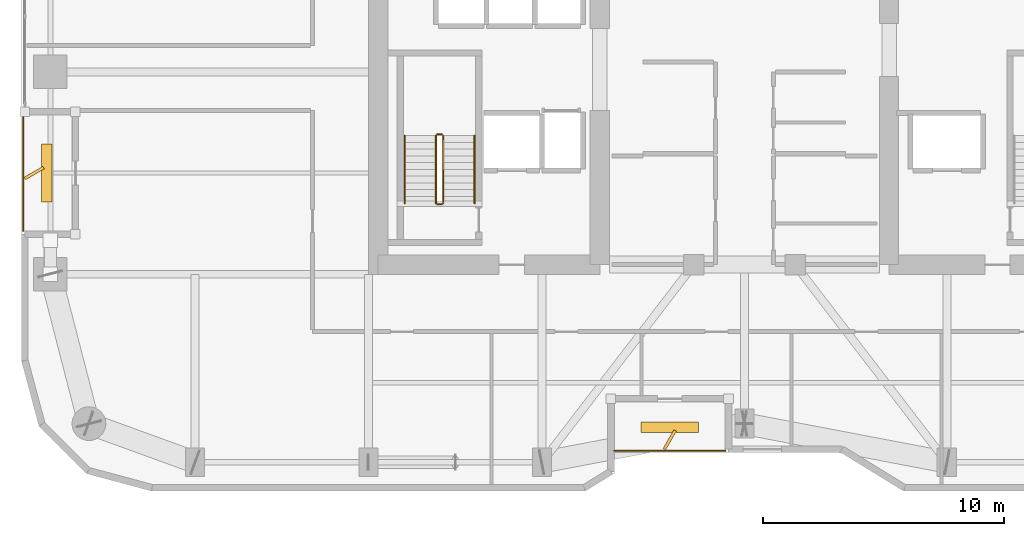
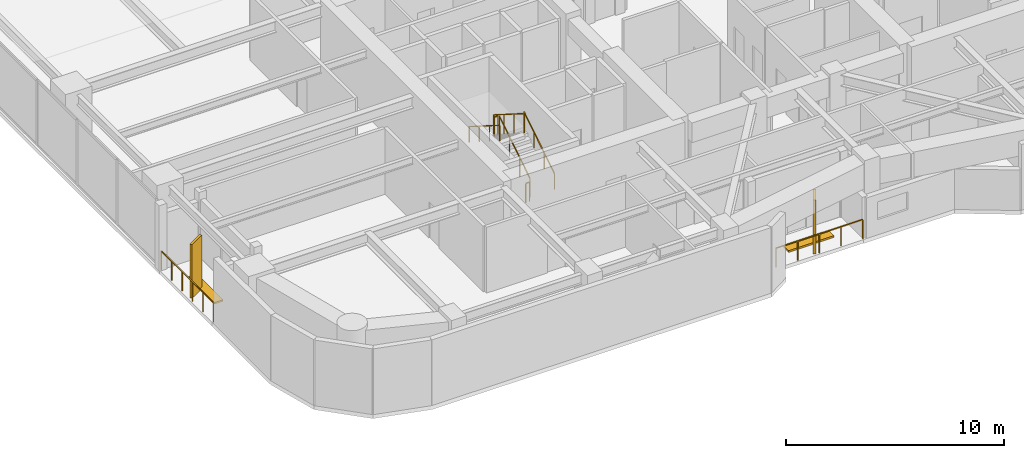
# One storey, part 29 of 31: 8 railings, 4 shading devices.
"""IFC4 building model written with IfcOpenShell, lengths in metres."""

from ifc_helpers import new_model, si_unit, direction, frame, origin, origin_2d, place, context, subcontext, project, spatial, rectangle, extrude, material, type_object, element, save


model = new_model("IFC4")

# Units and contexts
model_context = context("Model", 3, precision=1e-05, world=origin(), true_north=direction((0.0, 1.0)))
body_context = subcontext(model_context, "Body", "Model", "MODEL_VIEW")
ifc_project = project(units=[si_unit("LENGTHUNIT", "METRE"), si_unit("AREAUNIT", "SQUARE_METRE"), si_unit("VOLUMEUNIT", "CUBIC_METRE"), si_unit("PLANEANGLEUNIT", "RADIAN"), si_unit("MASSUNIT", "GRAM", prefix="KILO")], contexts=[model_context])

# Site, building, storey
site_placement = place(None, origin())
site = spatial("IfcSite", under=ifc_project, at=site_placement, CompositionType="ELEMENT")
building_placement = place(site_placement, origin())
building = spatial("IfcBuilding", under=site, at=building_placement, Name="Kiyonajd Concourse Tower", CompositionType="ELEMENT")
storey_placement = place(building_placement, frame((0.0, 0.0, 158.39990234375)))
storey = spatial("IfcBuildingStorey", under=building, at=storey_placement, Name="L40", CompositionType="ELEMENT", Elevation=158.39990234375)

# Railings
ifc_material_1 = material(Name="Thermally Broken Anodised Aluminium", Category="aluminium")
railing_type_1 = type_object("IfcRailingType", Name="RL-GRD-LOG", PredefinedType="GUARDRAIL", material=ifc_material_1)
railing_1_placement = place(storey_placement, frame((42.60009765625, 20.280029296875, 0.0)))
element("IfcRailing", 1, at=railing_1_placement, inside=storey, type_object=railing_type_1, Name="L40 Engawa Loggia Perimeter Guard LOG-S", PredefinedType="GUARDRAIL", context=body_context, shape_type="SweptSolid", body=[
    extrude(rectangle(XDim=0.048095703125, YDim=0.048095703125, at=origin_2d()), frame((0.0, 0.0, 1.076171875), z_axis=(1.0, 0.0, 0.0), x_axis=(0.0, 1.0, 0.0)), (0.0, 0.0, 1.0), 4.599853515625),
    extrude(rectangle(XDim=0.0419921875, YDim=0.0419921875, at=origin_2d()), origin(), (0.0, 0.0, 1.0), 1.052001953125),
    extrude(rectangle(XDim=0.0419921875, YDim=0.0419921875, at=origin_2d()), frame((1.14990234375, 0.0, 0.0)), (0.0, 0.0, 1.0), 1.052001953125),
    extrude(rectangle(XDim=0.0419921875, YDim=0.0419921875, at=origin_2d()), frame((2.2998046875, 0.0, 0.0)), (0.0, 0.0, 1.0), 1.052001953125),
    extrude(rectangle(XDim=0.0419921875, YDim=0.0419921875, at=origin_2d()), frame((3.449951171875, 0.0, 0.0)), (0.0, 0.0, 1.0), 1.052001953125),
    extrude(rectangle(XDim=0.0419921875, YDim=0.0419921875, at=origin_2d()), frame((4.599853515625, 0.0, 0.0)), (0.0, 0.0, 1.0), 1.052001953125),
])
railing_2_placement = place(storey_placement, frame((18.080078125, 34.199951171875, 0.0)))
element("IfcRailing", 2, at=railing_2_placement, inside=storey, type_object=railing_type_1, Name="L40 Engawa Loggia Perimeter Guard LOG-W", PredefinedType="GUARDRAIL", context=body_context, shape_type="SweptSolid", body=[
    extrude(rectangle(XDim=0.048095703125, YDim=0.048095703125, at=origin_2d()), frame((0.0, 0.0, 1.076171875), z_axis=(0.0, -1.0, 0.0), x_axis=(1.0, 0.0, 0.0)), (0.0, 0.0, 1.0), 4.800048828125),
    extrude(rectangle(XDim=0.0419921875, YDim=0.0419921875, at=origin_2d()), origin(), (0.0, 0.0, 1.0), 1.052001953125),
    extrude(rectangle(XDim=0.0419921875, YDim=0.0419921875, at=origin_2d()), frame((0.0, -0.9599609375, 0.0)), (0.0, 0.0, 1.0), 1.052001953125),
    extrude(rectangle(XDim=0.0419921875, YDim=0.0419921875, at=origin_2d()), frame((0.0, -1.919921875, 0.0)), (0.0, 0.0, 1.0), 1.052001953125),
    extrude(rectangle(XDim=0.0419921875, YDim=0.0419921875, at=origin_2d()), frame((0.0, -2.880126953125, 0.0)), (0.0, 0.0, 1.0), 1.052001953125),
    extrude(rectangle(XDim=0.0419921875, YDim=0.0419921875, at=origin_2d()), frame((0.0, -3.840087890625, 0.0)), (0.0, 0.0, 1.0), 1.052001953125),
    extrude(rectangle(XDim=0.0419921875, YDim=0.0419921875, at=origin_2d()), frame((0.0, -4.800048828125, 0.0)), (0.0, 0.0, 1.0), 1.052001953125),
])
ifc_material_2 = material(Name="Steel ASTM A500 Grade C", Category="steel")
railing_type_2 = type_object("IfcRailingType", Name="RL-GRD-STR", PredefinedType="GUARDRAIL", material=ifc_material_2)
railing_3_placement = place(storey_placement, frame((35.5, 30.550048828125, 0.177490234375)))
element("IfcRailing", 3, at=railing_3_placement, inside=storey, type_object=railing_type_2, Name="L40 ST1 stair guard 1", PredefinedType="GUARDRAIL", context=body_context, shape_type="SweptSolid", body=[
    extrude(rectangle(XDim=0.048095703125, YDim=0.048095703125, at=origin_2d()), frame((0.0, 0.0, 1.076171875), z_axis=(0.0, 0.844908973607, 0.534910110503), x_axis=(-1.0, 0.0, 0.0)), (0.0, 0.0, 1.0), 3.31396484375),
    extrude(rectangle(XDim=0.0419921875, YDim=0.0419921875, at=origin_2d()), origin(), (0.0, 0.0, 1.0), 1.052001953125),
    extrude(rectangle(XDim=0.0419921875, YDim=0.0419921875, at=origin_2d()), frame((0.0, 0.933349609375, 0.5908203125)), (0.0, 0.0, 1.0), 1.052001953125),
    extrude(rectangle(XDim=0.0419921875, YDim=0.0419921875, at=origin_2d()), frame((0.0, 1.86669921875, 1.181884765625)), (0.0, 0.0, 1.0), 1.052001953125),
    extrude(rectangle(XDim=0.0419921875, YDim=0.0419921875, at=origin_2d()), frame((0.0, 2.800048828125, 1.772705078125)), (0.0, 0.0, 1.0), 1.052001953125),
])
railing_4_placement = place(storey_placement, frame((35.449951171875, 33.39990234375, 1.9501953125)))
element("IfcRailing", 4, at=railing_4_placement, inside=storey, type_object=railing_type_2, Name="L40 ST1 stair guard 2", PredefinedType="GUARDRAIL", context=body_context, shape_type="SweptSolid", body=[
    extrude(rectangle(XDim=0.048095703125, YDim=0.048095703125, at=origin_2d()), frame((0.0, 0.0, 1.076171875), z_axis=(-1.0, 0.0, 0.0), x_axis=(0.0, -1.0, 0.0)), (0.0, 0.0, 1.0), 0.199951171875),
    extrude(rectangle(XDim=0.0419921875, YDim=0.0419921875, at=origin_2d()), origin(), (0.0, 0.0, 1.0), 1.052001953125),
    extrude(rectangle(XDim=0.0419921875, YDim=0.0419921875, at=origin_2d()), frame((-0.199951171875, 0.0, 0.0)), (0.0, 0.0, 1.0), 1.052001953125),
])
railing_5_placement = place(storey_placement, frame((35.199951171875, 33.35009765625, 2.12744140625)))
element("IfcRailing", 5, at=railing_5_placement, inside=storey, type_object=railing_type_2, Name="L40 ST1 stair guard 3", PredefinedType="GUARDRAIL", context=body_context, shape_type="SweptSolid", body=[
    extrude(rectangle(XDim=0.048095703125, YDim=0.048095703125, at=origin_2d()), frame((0.0, 0.0, 1.076171875), z_axis=(0.0, -0.844908973607, 0.534910110503), x_axis=(1.0, 0.0, 0.0)), (0.0, 0.0, 1.0), 3.31396484375),
    extrude(rectangle(XDim=0.0419921875, YDim=0.0419921875, at=origin_2d()), origin(), (0.0, 0.0, 1.0), 1.052001953125),
    extrude(rectangle(XDim=0.0419921875, YDim=0.0419921875, at=origin_2d()), frame((0.0, -0.933349609375, 0.5908203125)), (0.0, 0.0, 1.0), 1.052001953125),
    extrude(rectangle(XDim=0.0419921875, YDim=0.0419921875, at=origin_2d()), frame((0.0, -1.86669921875, 1.181884765625)), (0.0, 0.0, 1.0), 1.052001953125),
    extrude(rectangle(XDim=0.0419921875, YDim=0.0419921875, at=origin_2d()), frame((0.0, -2.800048828125, 1.772705078125)), (0.0, 0.0, 1.0), 1.052001953125),
])
railing_6_placement = place(storey_placement, frame((35.449951171875, 30.5, 0.0)))
element("IfcRailing", 6, at=railing_6_placement, inside=storey, type_object=railing_type_2, Name="L40 ST1 stair guard 4", PredefinedType="GUARDRAIL", context=body_context, shape_type="SweptSolid", body=[
    extrude(rectangle(XDim=0.048095703125, YDim=0.048095703125, at=origin_2d()), frame((0.0, 0.0, 1.076171875), z_axis=(-1.0, 0.0, 0.0), x_axis=(0.0, -1.0, 0.0)), (0.0, 0.0, 1.0), 0.199951171875),
    extrude(rectangle(XDim=0.0419921875, YDim=0.0419921875, at=origin_2d()), origin(), (0.0, 0.0, 1.0), 1.052001953125),
    extrude(rectangle(XDim=0.0419921875, YDim=0.0419921875, at=origin_2d()), frame((-0.199951171875, 0.0, 0.0)), (0.0, 0.0, 1.0), 1.052001953125),
])
ifc_material_3 = material(Name="Brushed Stainless Steel Cab Assembly", Category="steel")
railing_type_3 = type_object("IfcRailingType", Name="RL-HND-900", PredefinedType="HANDRAIL", material=ifc_material_3)
railing_7_placement = place(storey_placement, frame((36.800048828125, 30.550048828125, 0.177490234375)))
element("IfcRailing", 7, at=railing_7_placement, inside=storey, type_object=railing_type_3, Name="L40 ST1 stair handrail 1", PredefinedType="HANDRAIL", context=body_context, shape_type="SweptSolid", body=[
    extrude(rectangle(XDim=0.048095703125, YDim=0.048095703125, at=origin_2d()), frame((0.0, 0.0, 0.8759765625), z_axis=(0.0, 0.844908973607, 0.534910110503), x_axis=(-1.0, 0.0, 0.0)), (0.0, 0.0, 1.0), 3.31396484375),
    extrude(rectangle(XDim=0.0419921875, YDim=0.0419921875, at=origin_2d()), origin(), (0.0, 0.0, 1.0), 0.851806640625),
    extrude(rectangle(XDim=0.0419921875, YDim=0.0419921875, at=origin_2d()), frame((0.0, 0.933349609375, 0.5908203125)), (0.0, 0.0, 1.0), 0.851806640625),
    extrude(rectangle(XDim=0.0419921875, YDim=0.0419921875, at=origin_2d()), frame((0.0, 1.86669921875, 1.181884765625)), (0.0, 0.0, 1.0), 0.851806640625),
    extrude(rectangle(XDim=0.0419921875, YDim=0.0419921875, at=origin_2d()), frame((0.0, 2.800048828125, 1.772705078125)), (0.0, 0.0, 1.0), 0.851806640625),
])
railing_8_placement = place(storey_placement, frame((33.89990234375, 33.35009765625, 2.12744140625)))
element("IfcRailing", 8, at=railing_8_placement, inside=storey, type_object=railing_type_3, Name="L40 ST1 stair handrail 2", PredefinedType="HANDRAIL", context=body_context, shape_type="SweptSolid", body=[
    extrude(rectangle(XDim=0.048095703125, YDim=0.048095703125, at=origin_2d()), frame((0.0, 0.0, 0.8759765625), z_axis=(0.0, -0.844908973607, 0.534910110503), x_axis=(1.0, 0.0, 0.0)), (0.0, 0.0, 1.0), 3.31396484375),
    extrude(rectangle(XDim=0.0419921875, YDim=0.0419921875, at=origin_2d()), origin(), (0.0, 0.0, 1.0), 0.851806640625),
    extrude(rectangle(XDim=0.0419921875, YDim=0.0419921875, at=origin_2d()), frame((0.0, -0.933349609375, 0.5908203125)), (0.0, 0.0, 1.0), 0.851806640625),
    extrude(rectangle(XDim=0.0419921875, YDim=0.0419921875, at=origin_2d()), frame((0.0, -1.86669921875, 1.181884765625)), (0.0, 0.0, 1.0), 0.851806640625),
    extrude(rectangle(XDim=0.0419921875, YDim=0.0419921875, at=origin_2d()), frame((0.0, -2.800048828125, 1.772705078125)), (0.0, 0.0, 1.0), 0.851806640625),
])

# Shading devices
ifc_material_4 = material(Name="Precast concrete C50/60", Category="concrete")
shading_device_type_1 = type_object("IfcShadingDeviceType", Name="SH-FIN-900", PredefinedType="USERDEFINED", material=ifc_material_4)
for number, where, z_axis, x_axis, name in (
    (9, (44.89990234375, 20.72998046875, 0.0), (0.0, 0.0, 1.0), (0.5, 0.866025403784, 0.0), "L40 Angled Koshi Solar Fin LOG-S"),
    (10, (18.530029296875, 31.800048828125, 0.0), (0.0, 0.0, 1.0), (0.866025403784, 0.5, 0.0), "L40 Angled Koshi Solar Fin LOG-W"),
):
    element("IfcShadingDevice", number, at=place(storey_placement, frame(where, z_axis=z_axis, x_axis=x_axis)), inside=storey, type_object=shading_device_type_1, Name=name, ObjectType="FIN", PredefinedType="USERDEFINED", context=body_context, shape_type="SweptSolid", body=[
        extrude(rectangle(XDim=0.89990234375, YDim=0.1201171875, at=origin_2d()), origin(), (0.0, 0.0, 1.0), 3.0),
    ])
shading_device_type_2 = type_object("IfcShadingDeviceType", Name="SH-LVR-600", PredefinedType="JALOUSIE", material=ifc_material_1)
for number, where, z_axis, x_axis, name in (
    (11, (44.89990234375, 21.25, 0.0), (0.0, 0.0, 1.0), (1.0, 0.0, 0.0), "L40 Loggia Threshold Louver LOG-S"),
    (12, (19.050048828125, 31.800048828125, 0.0), (0.0, 0.0, 1.0), (0.0, 1.0, 0.0), "L40 Loggia Threshold Louver LOG-W"),
):
    element("IfcShadingDevice", number, at=place(storey_placement, frame(where, z_axis=z_axis, x_axis=x_axis)), inside=storey, type_object=shading_device_type_2, Name=name, PredefinedType="JALOUSIE", context=body_context, shape_type="SweptSolid", body=[
        extrude(rectangle(XDim=2.39990234375, YDim=0.449951171875, at=origin_2d()), origin(), (0.0, 0.0, 1.0), 0.10009765625),
    ])

save(model, "model.ifc")
